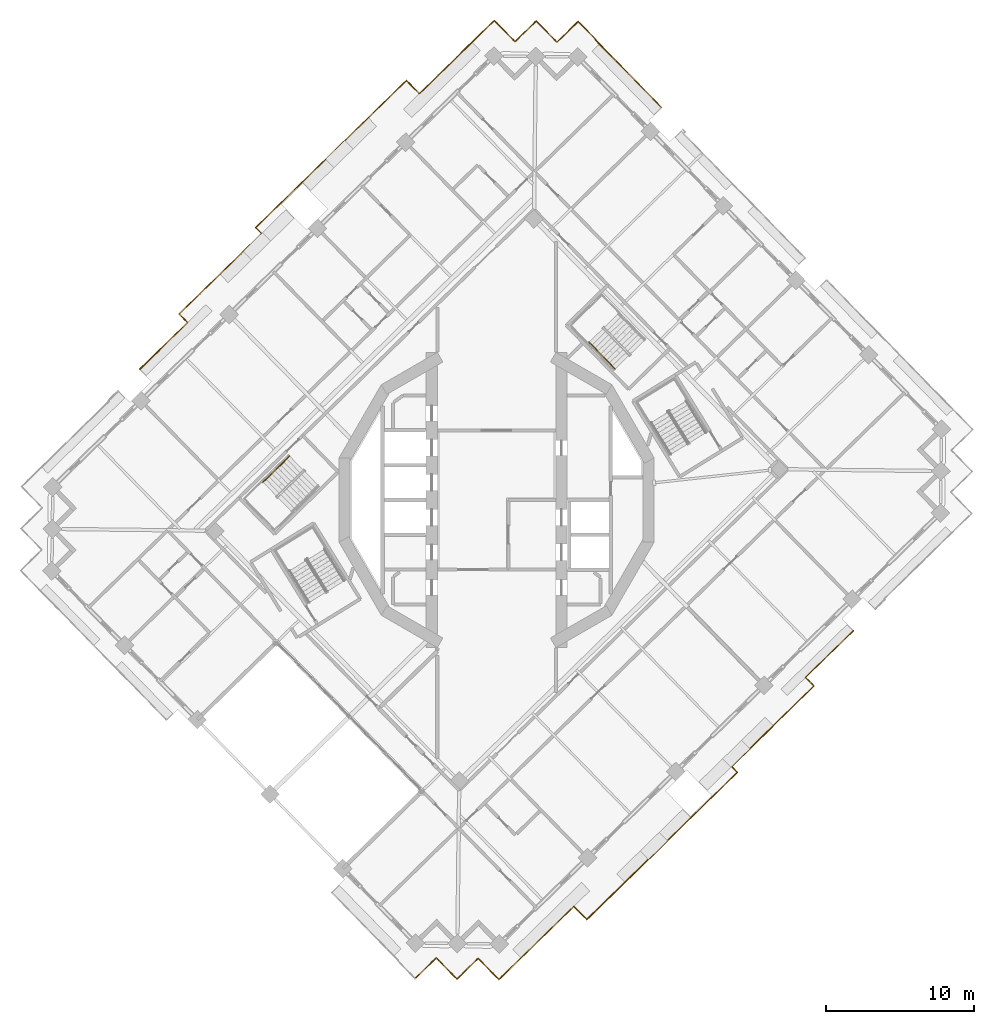
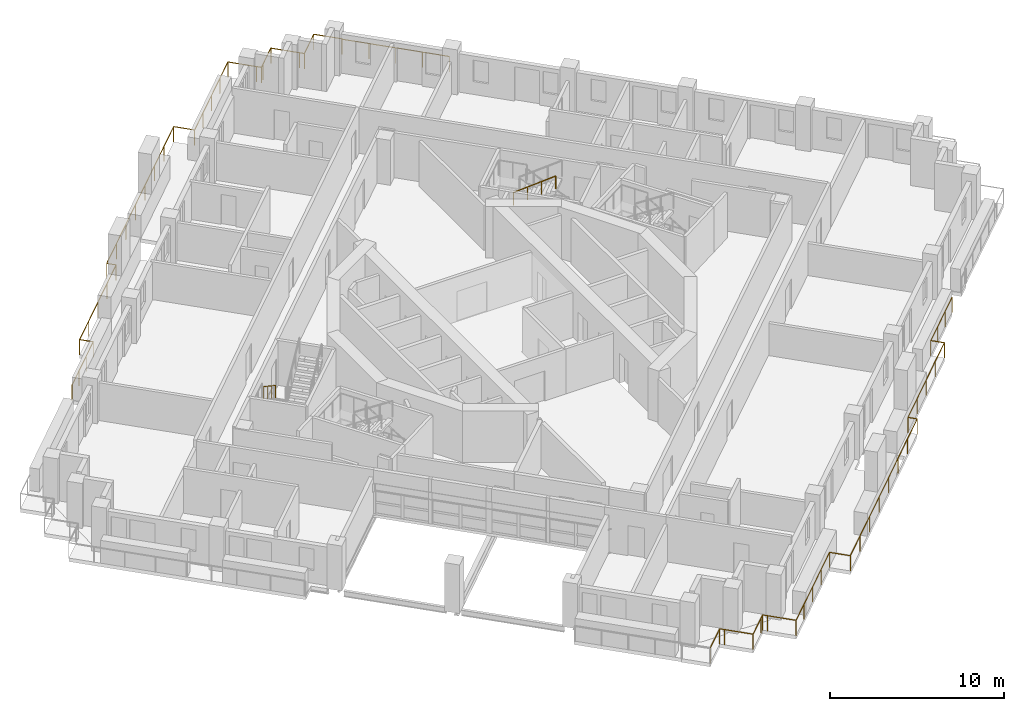
# One storey, part 16 of 19: 4 railings.
"""IFC4 building model written with IfcOpenShell, lengths in metres."""

import ifcopenshell
import ifcopenshell.guid

model = None  # the IFC model being written
_history = None  # IfcOwnerHistory: only IFC2X3 demands one
_inside = {}  # id of a spatial element -> (the spatial element, [elements in it])
_under = {}  # id of a project, library or spatial element -> (it, [spatial elements below it])
_declared = {}  # id of a project -> (the project, [libraries it declares])
_typed = {}  # id of a type object -> (the type object, [elements of that type])
_made_of = {}  # id of a material, layer set ... -> (it, [elements and type objects made of it])


def new_model(schema):
    """Start an empty IFC model of exactly this schema.

    Asked for "IFC4X3", IfcOpenShell would pick the latest addendum, in which some entities
    have other attributes; the version numbers below select the first issue.
    IFC2X3 requires an IfcOwnerHistory on every rooted entity: one is made here for all.
    """
    global model, _history
    if schema == "IFC4X3":
        model = ifcopenshell.file(schema_version=(4, 3, 0, 0))
    else:
        model = ifcopenshell.file(schema=schema)
    _inside.clear()
    _under.clear()
    _declared.clear()
    _typed.clear()
    _made_of.clear()
    _history = None
    if model.schema == "IFC2X3":
        org = make("IfcOrganization", Name="unknown")
        user = make(
            "IfcPersonAndOrganization",
            ThePerson=make("IfcPerson", FamilyName="unknown"),
            TheOrganization=org,
        )
        app = make(
            "IfcApplication",
            ApplicationDeveloper=org,
            Version="unknown",
            ApplicationFullName="unknown",
            ApplicationIdentifier="unknown",
        )
        _history = make(
            "IfcOwnerHistory",
            OwningUser=user,
            OwningApplication=app,
            ChangeAction="ADDED",
            CreationDate=0,
        )
    return model


def make(cls, **values):
    """One entity of the class cls with the attributes given. An attribute that is None is left unset."""
    return model.create_entity(
        cls, **{name: value for name, value in values.items() if value is not None}
    )


def rooted(cls, **values):
    """An entity with a GlobalId (a new one), such as an element, a storey or a relation."""
    return make(cls, GlobalId=ifcopenshell.guid.new(), OwnerHistory=_history, **values)


def si_unit(unit_type, name, prefix=None):
    """IfcSIUnit, for example si_unit("LENGTHUNIT", "METRE", prefix="MILLI")."""
    return make("IfcSIUnit", UnitType=unit_type, Prefix=prefix, Name=name)


def assignment(units):
    """IfcUnitAssignment: the units of a project."""
    return None if units is None else make("IfcUnitAssignment", Units=units)


def point(xyz):
    """IfcCartesianPoint."""
    return None if xyz is None else make("IfcCartesianPoint", Coordinates=xyz)


def direction(xyz):
    """IfcDirection."""
    return None if xyz is None else make("IfcDirection", DirectionRatios=xyz)


def frame(location, z_axis=None, x_axis=None):
    """IfcAxis2Placement3D, a coordinate frame: its origin and axes. An axis left out is left unset."""
    return make(
        "IfcAxis2Placement3D",
        Location=point(location),
        Axis=direction(z_axis),
        RefDirection=direction(x_axis),
    )


def frame_2d(location, x_axis=None):
    """IfcAxis2Placement2D, a coordinate frame in the plane: its origin and x axis."""
    return make(
        "IfcAxis2Placement2D", Location=point(location), RefDirection=direction(x_axis)
    )


def origin():
    """The frame at (0, 0, 0) with its axes left unset."""
    return frame((0.0, 0.0, 0.0))


def origin_2d():
    """The frame at (0, 0) in the plane with its x axis left unset."""
    return frame_2d((0.0, 0.0))


def place(relative_to, where):
    """IfcLocalPlacement: puts the frame where relative to a parent placement (None: the world)."""
    return make(
        "IfcLocalPlacement", PlacementRelTo=relative_to, RelativePlacement=where
    )


def context(
    kind, dimensions, precision=None, world=None, true_north=None, identifier=None
):
    """IfcGeometricRepresentationContext, for example the 3D "Model" context."""
    return make(
        "IfcGeometricRepresentationContext",
        ContextIdentifier=identifier,
        ContextType=kind,
        CoordinateSpaceDimension=dimensions,
        Precision=precision,
        WorldCoordinateSystem=world,
        TrueNorth=true_north,
    )


def subcontext(parent, identifier, kind, view, scale=None):
    """IfcGeometricRepresentationSubContext, for example "Body" below "Model"."""
    return make(
        "IfcGeometricRepresentationSubContext",
        ContextIdentifier=identifier,
        ContextType=kind,
        ParentContext=parent,
        TargetScale=scale,
        TargetView=view,
    )


def project(units=None, contexts=None):
    """IfcProject with its units and contexts."""
    return rooted(
        "IfcProject",
        Name="project",
        RepresentationContexts=contexts,
        UnitsInContext=assignment(units),
    )


def spatial(cls, under=None, at=None, **own):
    """A site, building, storey or space (cls), placed at a placement, below another one or the project."""
    s = rooted(cls, ObjectPlacement=at, **own)
    if under is not None:
        _under.setdefault(under.id(), (under, []))[1].append(s)
    return s


def profile(cls, at=None, kind="AREA", **sizes):
    """A parametric profile (cls). Its sizes go by their IFC names, for example OverallWidth=200.0."""
    return make(cls, ProfileType=kind, Position=at, **sizes)


def circle(**sizes):
    """IfcCircleProfileDef."""
    return profile("IfcCircleProfileDef", **sizes)


def extrude(swept, where, along, depth):
    """IfcExtrudedAreaSolid: the profile swept, set in the frame where, extruded along a direction by depth."""
    return make(
        "IfcExtrudedAreaSolid",
        SweptArea=swept,
        Position=where,
        ExtrudedDirection=direction(along),
        Depth=depth,
    )


def shape(context_of_items, identifier, shape_type, items):
    """IfcShapeRepresentation: the items that make up one representation, for example the "Body"."""
    return make(
        "IfcShapeRepresentation",
        ContextOfItems=context_of_items,
        RepresentationIdentifier=identifier,
        RepresentationType=shape_type,
        Items=items,
    )


def material(Name=None, Category=None):
    """IfcMaterial."""
    return make("IfcMaterial", Name=Name, Category=Category)


def made_of(thing, what):
    """Note that an element or type object is made of a material, layer set ...; save() writes the relation."""
    if what is not None:
        _made_of.setdefault(what.id(), (what, []))[1].append(thing)
    return thing


def type_object(cls, material=None, **own):
    """A type object (cls), such as IfcWallType, which elements share."""
    return made_of(rooted(cls, **own), material)


def element(
    cls,
    number,
    at=None,
    inside=None,
    cuts=None,
    type_object=None,
    material=None,
    context=None,
    identifier="Body",
    shape_type=None,
    held_by="IfcProductDefinitionShape",
    body=None,
    shapes=None,
    **own,
):
    """One element of the class cls, such as IfcWall. Its Tag is "e" and its number.

    at: its placement. inside: the storey or other place that contains it. cuts: it is an
    opening in that element (IfcRelVoidsElement). A single representation is given by context,
    identifier, shape_type and body (its items); several are given by shapes. held_by: the class
    of the entity that holds the representations. save() writes the other relations.
    """
    e = rooted(cls, Tag="e%d" % number, ObjectPlacement=at, **own)
    if body is not None:
        shapes = [shape(context, identifier, shape_type, body)]
    if shapes is not None:
        e.Representation = make(held_by, Representations=shapes)
    if inside is not None:
        _inside.setdefault(inside.id(), (inside, []))[1].append(e)
    if cuts is not None:
        rooted(
            "IfcRelVoidsElement", RelatingBuildingElement=cuts, RelatedOpeningElement=e
        )
    if type_object is not None:
        _typed.setdefault(type_object.id(), (type_object, []))[1].append(e)
    return made_of(e, material)


def aggregate(whole, parts):
    """IfcRelAggregates: a whole, such as a stair, and the parts it consists of."""
    return rooted("IfcRelAggregates", RelatingObject=whole, RelatedObjects=parts)


def save(model, path):
    """Write the relations noted so far, then the file.

    IfcRelAggregates (storeys below a building ...), IfcRelContainedInSpatialStructure (elements
    in a storey), IfcRelDefinesByType, IfcRelAssociatesMaterial and IfcRelDeclares: one each for
    every whole, place, type object, material and project.
    """
    for whole, parts in _under.values():
        aggregate(whole, parts)
    for where, things in _inside.values():
        rooted(
            "IfcRelContainedInSpatialStructure",
            RelatedElements=things,
            RelatingStructure=where,
        )
    for kind, things in _typed.values():
        rooted("IfcRelDefinesByType", RelatedObjects=things, RelatingType=kind)
    for what, things in _made_of.values():
        rooted("IfcRelAssociatesMaterial", RelatedObjects=things, RelatingMaterial=what)
    for by, libraries in _declared.values():
        rooted("IfcRelDeclares", RelatingContext=by, RelatedDefinitions=libraries)
    model.write(path)


model = new_model("IFC4")

# Units and contexts
model_context = context("Model", 3, precision=1e-05, world=origin(), true_north=direction((0.0, 1.0)))
body_context = subcontext(model_context, "Body", "Model", "MODEL_VIEW")
ifc_project = project(units=[si_unit("LENGTHUNIT", "METRE"), si_unit("AREAUNIT", "SQUARE_METRE"), si_unit("VOLUMEUNIT", "CUBIC_METRE"), si_unit("PLANEANGLEUNIT", "RADIAN"), si_unit("MASSUNIT", "GRAM", prefix="KILO")], contexts=[model_context])

# Site, building, storey
site_placement = place(None, origin())
site = spatial("IfcSite", under=ifc_project, at=site_placement, CompositionType="ELEMENT")
building_placement = place(site_placement, origin())
building = spatial("IfcBuilding", under=site, at=building_placement, Name="Cantera Rosa Tower", CompositionType="ELEMENT")
storey_placement = place(building_placement, frame((0.0, 0.0, 241.39990234375)))
storey = spatial("IfcBuildingStorey", under=building, at=storey_placement, Name="L53", CompositionType="ELEMENT", Elevation=241.39990234375)

# Railings
ifc_material_1 = material(Name="Stainless steel and laminated glass", Category="steel")
railing_type_1 = type_object("IfcRailingType", Name="GUARD 1100", PredefinedType="BALUSTRADE", material=ifc_material_1)
railing_1_placement = place(storey_placement, frame((-24.068115234375, 8.822509765625, 0.0)))
element("IfcRailing", 1, at=railing_1_placement, inside=storey, type_object=railing_type_1, Name="GUARD L53-2", PredefinedType="BALUSTRADE", context=body_context, shape_type="SweptSolid", body=[
    extrude(circle(Radius=0.030029296875, at=origin_2d()), frame((0.0, 0.0, 1.070068359375), z_axis=(0.715279040078, 0.698838962012, 0.0), x_axis=(-0.698838962012, 0.715279040078, 0.0)), (0.0, 0.0, 1.0), 4.499755859375),
    extrude(circle(Radius=0.030029296875, at=origin_2d()), frame((3.218505859375, 3.14453125, 1.070068359375), z_axis=(-0.698925943544, 0.715194047403, 0.0), x_axis=(-0.715194047403, -0.698925943544, 0.0)), (0.0, 0.0, 1.0), 0.810302734375),
    extrude(circle(Radius=0.030029296875, at=origin_2d()), frame((2.652099609375, 3.72412109375, 1.070068359375), z_axis=(0.715300842089, 0.698816646415, 0.0), x_axis=(-0.698816646415, 0.715300842089, 0.0)), (0.0, 0.0, 1.0), 7.7607421875),
    extrude(circle(Radius=0.030029296875, at=origin_2d()), frame((8.203369140625, 9.1474609375, 1.070068359375), z_axis=(-0.698988739629, 0.715132674314, 0.0), x_axis=(-0.715132674314, -0.698988739629, 0.0)), (0.0, 0.0, 1.0), 0.5595703125),
    extrude(circle(Radius=0.030029296875, at=origin_2d()), frame((7.812255859375, 9.547607421875, 1.070068359375), z_axis=(0.715291351034, 0.69882636122, 0.0), x_axis=(-0.69882636122, 0.715291351034, 0.0)), (0.0, 0.0, 1.0), 14.219970703125),
    extrude(circle(Radius=0.030029296875, at=origin_2d()), frame((17.983642578125, 19.48486328125, 1.070068359375), z_axis=(0.698855744509, -0.715262642927, 0.0), x_axis=(0.715262642927, 0.698855744509, 0.0)), (0.0, 0.0, 1.0), 1.25),
    extrude(circle(Radius=0.030029296875, at=origin_2d()), frame((18.857177734375, 18.5908203125, 1.070068359375), z_axis=(0.715287912844, 0.6988298804, 0.0), x_axis=(-0.6988298804, 0.715287912844, 0.0)), (0.0, 0.0, 1.0), 5.369873046875),
    extrude(circle(Radius=0.030029296875, at=origin_2d()), frame((22.6982421875, 22.343505859375, 1.070068359375), z_axis=(0.715316077832, 0.69880105094, 0.0), x_axis=(-0.69880105094, 0.715316077832, 0.0)), (0.0, 0.0, 1.0), 1.699951171875),
    extrude(circle(Radius=0.030029296875, at=origin_2d()), frame((23.914306640625, 23.531494140625, 1.070068359375), z_axis=(0.698872839675, -0.715245939495, 0.0), x_axis=(0.715245939495, 0.698872839675, 0.0)), (0.0, 0.0, 1.0), 1.699951171875),
    extrude(circle(Radius=0.030029296875, at=origin_2d()), frame((25.102294921875, 22.315673828125, 1.070068359375), z_axis=(0.698506948293, -0.715603272202, 0.0), x_axis=(0.715603272202, 0.698506948293, 0.0)), (0.0, 0.0, 1.0), 0.2998046875),
    extrude(circle(Radius=0.030029296875, at=origin_2d()), frame((25.311767578125, 22.10107421875, 1.070068359375), z_axis=(0.715196445894, 0.698923489218, 0.0), x_axis=(-0.698923489218, 0.715196445894, 0.0)), (0.0, 0.0, 1.0), 0.300048828125),
    extrude(circle(Radius=0.030029296875, at=origin_2d()), frame((25.5263671875, 22.310791015625, 1.070068359375), z_axis=(0.715316077832, 0.69880105094, 0.0), x_axis=(-0.69880105094, 0.715316077832, 0.0)), (0.0, 0.0, 1.0), 1.699951171875),
    extrude(circle(Radius=0.030029296875, at=origin_2d()), frame((26.742431640625, 23.498779296875, 1.070068359375), z_axis=(0.69880105094, -0.715316077832, 0.0), x_axis=(0.715316077832, 0.69880105094, 0.0)), (0.0, 0.0, 1.0), 1.699951171875),
    extrude(circle(Radius=0.030029296875, at=origin_2d()), frame((27.930419921875, 22.28271484375, 1.070068359375), z_axis=(0.698923489218, -0.715196445894, 0.0), x_axis=(0.715196445894, 0.698923489218, 0.0)), (0.0, 0.0, 1.0), 0.300048828125),
    extrude(circle(Radius=0.030029296875, at=origin_2d()), frame((28.14013671875, 22.068115234375, 1.070068359375), z_axis=(0.715298131827, 0.698819420598, 0.0), x_axis=(-0.698819420598, 0.715298131827, 0.0)), (0.0, 0.0, 1.0), 2.0),
    extrude(circle(Radius=0.030029296875, at=origin_2d()), frame((29.57080078125, 23.4658203125, 1.070068359375), z_axis=(0.69880105094, -0.715316077832, 0.0), x_axis=(0.715316077832, 0.69880105094, 0.0)), (0.0, 0.0, 1.0), 1.699951171875),
    extrude(circle(Radius=0.030029296875, at=origin_2d()), frame((30.7587890625, 22.249755859375, 1.070068359375), z_axis=(-0.716639490729, -0.697443790085, 0.0), x_axis=(0.697443790085, -0.716639490729, 0.0)), (0.0, 0.0, 1.0), 0.0380859375),
    extrude(circle(Radius=0.030029296875, at=origin_2d()), frame((30.7314453125, 22.22314453125, 1.070068359375), z_axis=(0.69884455656, -0.715273574072, 0.0), x_axis=(0.715273574072, 0.69884455656, 0.0)), (0.0, 0.0, 1.0), 6.389892578125),
    extrude(circle(Radius=0.02490234375, at=origin_2d()), origin(), (0.0, 0.0, 1.0), 1.0400390625),
    extrude(circle(Radius=0.02490234375, at=origin_2d()), frame((1.07275390625, 1.048095703125, 0.0)), (0.0, 0.0, 1.0), 1.0400390625),
    extrude(circle(Radius=0.02490234375, at=origin_2d()), frame((2.145751953125, 2.096435546875, 0.0)), (0.0, 0.0, 1.0), 1.0400390625),
    extrude(circle(Radius=0.02490234375, at=origin_2d()), frame((3.218505859375, 3.14453125, 0.0)), (0.0, 0.0, 1.0), 1.0400390625),
    extrude(circle(Radius=0.02490234375, at=origin_2d()), frame((2.652099609375, 3.72412109375, 0.0)), (0.0, 0.0, 1.0), 1.0400390625),
    extrude(circle(Radius=0.02490234375, at=origin_2d()), frame((4.0400390625, 5.080078125, 0.0)), (0.0, 0.0, 1.0), 1.0400390625),
    extrude(circle(Radius=0.02490234375, at=origin_2d()), frame((5.427734375, 6.435791015625, 0.0)), (0.0, 0.0, 1.0), 1.0400390625),
    extrude(circle(Radius=0.02490234375, at=origin_2d()), frame((6.8154296875, 7.79150390625, 0.0)), (0.0, 0.0, 1.0), 1.0400390625),
    extrude(circle(Radius=0.02490234375, at=origin_2d()), frame((8.203369140625, 9.1474609375, 0.0)), (0.0, 0.0, 1.0), 1.0400390625),
    extrude(circle(Radius=0.02490234375, at=origin_2d()), frame((7.812255859375, 9.547607421875, 0.0)), (0.0, 0.0, 1.0), 1.0400390625),
    extrude(circle(Radius=0.02490234375, at=origin_2d()), frame((9.265380859375, 10.96728515625, 0.0)), (0.0, 0.0, 1.0), 1.0400390625),
    extrude(circle(Radius=0.02490234375, at=origin_2d()), frame((10.71826171875, 12.38671875, 0.0)), (0.0, 0.0, 1.0), 1.0400390625),
    extrude(circle(Radius=0.02490234375, at=origin_2d()), frame((12.17138671875, 13.806396484375, 0.0)), (0.0, 0.0, 1.0), 1.0400390625),
    extrude(circle(Radius=0.02490234375, at=origin_2d()), frame((13.62451171875, 15.22607421875, 0.0)), (0.0, 0.0, 1.0), 1.0400390625),
    extrude(circle(Radius=0.02490234375, at=origin_2d()), frame((15.07763671875, 16.645751953125, 0.0)), (0.0, 0.0, 1.0), 1.0400390625),
    extrude(circle(Radius=0.02490234375, at=origin_2d()), frame((16.530517578125, 18.065185546875, 0.0)), (0.0, 0.0, 1.0), 1.0400390625),
    extrude(circle(Radius=0.02490234375, at=origin_2d()), frame((17.983642578125, 19.48486328125, 0.0)), (0.0, 0.0, 1.0), 1.0400390625),
    extrude(circle(Radius=0.02490234375, at=origin_2d()), frame((18.857177734375, 18.5908203125, 0.0)), (0.0, 0.0, 1.0), 1.0400390625),
    extrude(circle(Radius=0.02490234375, at=origin_2d()), frame((20.137451171875, 19.841796875, 0.0)), (0.0, 0.0, 1.0), 1.0400390625),
    extrude(circle(Radius=0.02490234375, at=origin_2d()), frame((21.41796875, 21.092529296875, 0.0)), (0.0, 0.0, 1.0), 1.0400390625),
    extrude(circle(Radius=0.02490234375, at=origin_2d()), frame((22.6982421875, 22.343505859375, 0.0)), (0.0, 0.0, 1.0), 1.0400390625),
    extrude(circle(Radius=0.02490234375, at=origin_2d()), frame((23.914306640625, 23.531494140625, 0.0)), (0.0, 0.0, 1.0), 1.0400390625),
    extrude(circle(Radius=0.02490234375, at=origin_2d()), frame((25.102294921875, 22.315673828125, 0.0)), (0.0, 0.0, 1.0), 1.0400390625),
    extrude(circle(Radius=0.02490234375, at=origin_2d()), frame((25.311767578125, 22.10107421875, 0.0)), (0.0, 0.0, 1.0), 1.0400390625),
    extrude(circle(Radius=0.02490234375, at=origin_2d()), frame((25.5263671875, 22.310791015625, 0.0)), (0.0, 0.0, 1.0), 1.0400390625),
    extrude(circle(Radius=0.02490234375, at=origin_2d()), frame((26.742431640625, 23.498779296875, 0.0)), (0.0, 0.0, 1.0), 1.0400390625),
    extrude(circle(Radius=0.02490234375, at=origin_2d()), frame((27.930419921875, 22.28271484375, 0.0)), (0.0, 0.0, 1.0), 1.0400390625),
    extrude(circle(Radius=0.02490234375, at=origin_2d()), frame((28.14013671875, 22.068115234375, 0.0)), (0.0, 0.0, 1.0), 1.0400390625),
    extrude(circle(Radius=0.02490234375, at=origin_2d()), frame((29.57080078125, 23.4658203125, 0.0)), (0.0, 0.0, 1.0), 1.0400390625),
    extrude(circle(Radius=0.02490234375, at=origin_2d()), frame((30.7587890625, 22.249755859375, 0.0)), (0.0, 0.0, 1.0), 1.0400390625),
    extrude(circle(Radius=0.02490234375, at=origin_2d()), frame((30.7314453125, 22.22314453125, 0.0)), (0.0, 0.0, 1.0), 1.0400390625),
    extrude(circle(Radius=0.02490234375, at=origin_2d()), frame((31.847900390625, 21.08056640625, 0.0)), (0.0, 0.0, 1.0), 1.0400390625),
    extrude(circle(Radius=0.02490234375, at=origin_2d()), frame((32.96435546875, 19.93798828125, 0.0)), (0.0, 0.0, 1.0), 1.0400390625),
    extrude(circle(Radius=0.02490234375, at=origin_2d()), frame((34.08056640625, 18.795166015625, 0.0)), (0.0, 0.0, 1.0), 1.0400390625),
    extrude(circle(Radius=0.02490234375, at=origin_2d()), frame((35.197021484375, 17.652587890625, 0.0)), (0.0, 0.0, 1.0), 1.0400390625),
])
railing_2_placement = place(storey_placement, frame((24.068115234375, -8.822509765625, 0.0)))
element("IfcRailing", 2, at=railing_2_placement, inside=storey, type_object=railing_type_1, Name="GUARD L53-4", PredefinedType="BALUSTRADE", context=body_context, shape_type="SweptSolid", body=[
    extrude(circle(Radius=0.030029296875, at=origin_2d()), frame((0.0, 0.0, 1.070068359375), z_axis=(-0.715279040078, -0.698838962012, 0.0), x_axis=(0.698838962012, -0.715279040078, 0.0)), (0.0, 0.0, 1.0), 4.499755859375),
    extrude(circle(Radius=0.030029296875, at=origin_2d()), frame((-3.218505859375, -3.14453125, 1.070068359375), z_axis=(0.698925943544, -0.715194047403, 0.0), x_axis=(0.715194047403, 0.698925943544, 0.0)), (0.0, 0.0, 1.0), 0.810302734375),
    extrude(circle(Radius=0.030029296875, at=origin_2d()), frame((-2.652099609375, -3.72412109375, 1.070068359375), z_axis=(-0.715300842089, -0.698816646415, 0.0), x_axis=(0.698816646415, -0.715300842089, 0.0)), (0.0, 0.0, 1.0), 7.7607421875),
    extrude(circle(Radius=0.030029296875, at=origin_2d()), frame((-8.203369140625, -9.1474609375, 1.070068359375), z_axis=(0.698988739629, -0.715132674314, 0.0), x_axis=(0.715132674314, 0.698988739629, 0.0)), (0.0, 0.0, 1.0), 0.5595703125),
    extrude(circle(Radius=0.030029296875, at=origin_2d()), frame((-7.812255859375, -9.547607421875, 1.070068359375), z_axis=(-0.715291351034, -0.69882636122, 0.0), x_axis=(0.69882636122, -0.715291351034, 0.0)), (0.0, 0.0, 1.0), 14.219970703125),
    extrude(circle(Radius=0.030029296875, at=origin_2d()), frame((-17.983642578125, -19.48486328125, 1.070068359375), z_axis=(-0.698855744509, 0.715262642927, 0.0), x_axis=(-0.715262642927, -0.698855744509, 0.0)), (0.0, 0.0, 1.0), 1.25),
    extrude(circle(Radius=0.030029296875, at=origin_2d()), frame((-18.857177734375, -18.5908203125, 1.070068359375), z_axis=(-0.715287912844, -0.6988298804, 0.0), x_axis=(0.6988298804, -0.715287912844, 0.0)), (0.0, 0.0, 1.0), 5.369873046875),
    extrude(circle(Radius=0.030029296875, at=origin_2d()), frame((-22.6982421875, -22.343505859375, 1.070068359375), z_axis=(-0.715316077832, -0.69880105094, 0.0), x_axis=(0.69880105094, -0.715316077832, 0.0)), (0.0, 0.0, 1.0), 1.699951171875),
    extrude(circle(Radius=0.030029296875, at=origin_2d()), frame((-23.914306640625, -23.531494140625, 1.070068359375), z_axis=(-0.698872839675, 0.715245939495, 0.0), x_axis=(-0.715245939495, -0.698872839675, 0.0)), (0.0, 0.0, 1.0), 1.699951171875),
    extrude(circle(Radius=0.030029296875, at=origin_2d()), frame((-25.102294921875, -22.315673828125, 1.070068359375), z_axis=(-0.698506948293, 0.715603272202, 0.0), x_axis=(-0.715603272202, -0.698506948293, 0.0)), (0.0, 0.0, 1.0), 0.2998046875),
    extrude(circle(Radius=0.030029296875, at=origin_2d()), frame((-25.311767578125, -22.10107421875, 1.070068359375), z_axis=(-0.715196445894, -0.698923489218, 0.0), x_axis=(0.698923489218, -0.715196445894, 0.0)), (0.0, 0.0, 1.0), 0.300048828125),
    extrude(circle(Radius=0.030029296875, at=origin_2d()), frame((-25.5263671875, -22.310791015625, 1.070068359375), z_axis=(-0.715316077832, -0.69880105094, 0.0), x_axis=(0.69880105094, -0.715316077832, 0.0)), (0.0, 0.0, 1.0), 1.699951171875),
    extrude(circle(Radius=0.030029296875, at=origin_2d()), frame((-26.742431640625, -23.498779296875, 1.070068359375), z_axis=(-0.69880105094, 0.715316077832, 0.0), x_axis=(-0.715316077832, -0.69880105094, 0.0)), (0.0, 0.0, 1.0), 1.699951171875),
    extrude(circle(Radius=0.030029296875, at=origin_2d()), frame((-27.930419921875, -22.28271484375, 1.070068359375), z_axis=(-0.698923489218, 0.715196445894, 0.0), x_axis=(-0.715196445894, -0.698923489218, 0.0)), (0.0, 0.0, 1.0), 0.300048828125),
    extrude(circle(Radius=0.030029296875, at=origin_2d()), frame((-28.14013671875, -22.068115234375, 1.070068359375), z_axis=(-0.715298131827, -0.698819420598, 0.0), x_axis=(0.698819420598, -0.715298131827, 0.0)), (0.0, 0.0, 1.0), 2.0),
    extrude(circle(Radius=0.02490234375, at=origin_2d()), origin(), (0.0, 0.0, 1.0), 1.0400390625),
    extrude(circle(Radius=0.02490234375, at=origin_2d()), frame((-1.07275390625, -1.048095703125, 0.0)), (0.0, 0.0, 1.0), 1.0400390625),
    extrude(circle(Radius=0.02490234375, at=origin_2d()), frame((-2.145751953125, -2.096435546875, 0.0)), (0.0, 0.0, 1.0), 1.0400390625),
    extrude(circle(Radius=0.02490234375, at=origin_2d()), frame((-3.218505859375, -3.14453125, 0.0)), (0.0, 0.0, 1.0), 1.0400390625),
    extrude(circle(Radius=0.02490234375, at=origin_2d()), frame((-2.652099609375, -3.72412109375, 0.0)), (0.0, 0.0, 1.0), 1.0400390625),
    extrude(circle(Radius=0.02490234375, at=origin_2d()), frame((-4.0400390625, -5.080078125, 0.0)), (0.0, 0.0, 1.0), 1.0400390625),
    extrude(circle(Radius=0.02490234375, at=origin_2d()), frame((-5.427734375, -6.435791015625, 0.0)), (0.0, 0.0, 1.0), 1.0400390625),
    extrude(circle(Radius=0.02490234375, at=origin_2d()), frame((-6.8154296875, -7.79150390625, 0.0)), (0.0, 0.0, 1.0), 1.0400390625),
    extrude(circle(Radius=0.02490234375, at=origin_2d()), frame((-8.203369140625, -9.1474609375, 0.0)), (0.0, 0.0, 1.0), 1.0400390625),
    extrude(circle(Radius=0.02490234375, at=origin_2d()), frame((-7.812255859375, -9.547607421875, 0.0)), (0.0, 0.0, 1.0), 1.0400390625),
    extrude(circle(Radius=0.02490234375, at=origin_2d()), frame((-9.265380859375, -10.96728515625, 0.0)), (0.0, 0.0, 1.0), 1.0400390625),
    extrude(circle(Radius=0.02490234375, at=origin_2d()), frame((-10.71826171875, -12.38671875, 0.0)), (0.0, 0.0, 1.0), 1.0400390625),
    extrude(circle(Radius=0.02490234375, at=origin_2d()), frame((-12.17138671875, -13.806396484375, 0.0)), (0.0, 0.0, 1.0), 1.0400390625),
    extrude(circle(Radius=0.02490234375, at=origin_2d()), frame((-13.62451171875, -15.22607421875, 0.0)), (0.0, 0.0, 1.0), 1.0400390625),
    extrude(circle(Radius=0.02490234375, at=origin_2d()), frame((-15.07763671875, -16.645751953125, 0.0)), (0.0, 0.0, 1.0), 1.0400390625),
    extrude(circle(Radius=0.02490234375, at=origin_2d()), frame((-16.530517578125, -18.065185546875, 0.0)), (0.0, 0.0, 1.0), 1.0400390625),
    extrude(circle(Radius=0.02490234375, at=origin_2d()), frame((-17.983642578125, -19.48486328125, 0.0)), (0.0, 0.0, 1.0), 1.0400390625),
    extrude(circle(Radius=0.02490234375, at=origin_2d()), frame((-18.857177734375, -18.5908203125, 0.0)), (0.0, 0.0, 1.0), 1.0400390625),
    extrude(circle(Radius=0.02490234375, at=origin_2d()), frame((-20.137451171875, -19.841796875, 0.0)), (0.0, 0.0, 1.0), 1.0400390625),
    extrude(circle(Radius=0.02490234375, at=origin_2d()), frame((-21.41796875, -21.092529296875, 0.0)), (0.0, 0.0, 1.0), 1.0400390625),
    extrude(circle(Radius=0.02490234375, at=origin_2d()), frame((-22.6982421875, -22.343505859375, 0.0)), (0.0, 0.0, 1.0), 1.0400390625),
    extrude(circle(Radius=0.02490234375, at=origin_2d()), frame((-23.914306640625, -23.531494140625, 0.0)), (0.0, 0.0, 1.0), 1.0400390625),
    extrude(circle(Radius=0.02490234375, at=origin_2d()), frame((-25.102294921875, -22.315673828125, 0.0)), (0.0, 0.0, 1.0), 1.0400390625),
    extrude(circle(Radius=0.02490234375, at=origin_2d()), frame((-25.311767578125, -22.10107421875, 0.0)), (0.0, 0.0, 1.0), 1.0400390625),
    extrude(circle(Radius=0.02490234375, at=origin_2d()), frame((-25.5263671875, -22.310791015625, 0.0)), (0.0, 0.0, 1.0), 1.0400390625),
    extrude(circle(Radius=0.02490234375, at=origin_2d()), frame((-26.742431640625, -23.498779296875, 0.0)), (0.0, 0.0, 1.0), 1.0400390625),
    extrude(circle(Radius=0.02490234375, at=origin_2d()), frame((-27.930419921875, -22.28271484375, 0.0)), (0.0, 0.0, 1.0), 1.0400390625),
    extrude(circle(Radius=0.02490234375, at=origin_2d()), frame((-28.14013671875, -22.068115234375, 0.0)), (0.0, 0.0, 1.0), 1.0400390625),
    extrude(circle(Radius=0.02490234375, at=origin_2d()), frame((-29.57080078125, -23.4658203125, 0.0)), (0.0, 0.0, 1.0), 1.0400390625),
])
ifc_material_2 = material(Name="Steel S355J2 (EN 10025-2)", Category="steel")
railing_type_2 = type_object("IfcRailingType", Name="STAIR HANDRAIL 900", PredefinedType="HANDRAIL", material=ifc_material_2)
railing_3_placement = place(storey_placement, frame((6.23388671875, 10.64013671875, 1.97998046875)))
element("IfcRailing", 3, at=railing_3_placement, inside=storey, type_object=railing_type_2, Name="L53 ST-42 stair handrail 2", PredefinedType="HANDRAIL", context=body_context, shape_type="SweptSolid", body=[
    extrude(circle(Radius=0.02392578125, at=origin_2d()), frame((0.0, 0.0, 0.8759765625), z_axis=(0.587818193466, -0.601672219931, 0.54079599776), x_axis=(0.715293958342, 0.698823692472, 0.0)), (0.0, 0.0, 1.0), 2.995849609375),
    extrude(circle(Radius=0.02099609375, at=origin_2d()), origin(), (0.0, 0.0, 1.0), 0.851806640625),
    extrude(circle(Radius=0.02099609375, at=origin_2d()), frame((0.5869140625, -0.600830078125, 0.5400390625)), (0.0, 0.0, 1.0), 0.851806640625),
    extrude(circle(Radius=0.02099609375, at=origin_2d()), frame((1.174072265625, -1.20166015625, 1.080078125)), (0.0, 0.0, 1.0), 0.851806640625),
    extrude(circle(Radius=0.02099609375, at=origin_2d()), frame((1.760986328125, -1.802490234375, 1.6201171875)), (0.0, 0.0, 1.0), 0.851806640625),
])
railing_4_placement = place(storey_placement, frame((-13.95947265625, 2.9619140625, 0.18017578125)))
element("IfcRailing", 4, at=railing_4_placement, inside=storey, type_object=railing_type_2, Name="L53 ST-43 stair handrail 1", PredefinedType="HANDRAIL", context=body_context, shape_type="SweptSolid", body=[
    extrude(circle(Radius=0.02392578125, at=origin_2d()), frame((0.0, 0.0, 0.8759765625), z_axis=(-0.60169873645, -0.587844099419, 0.540738333515), x_axis=(0.698823692472, -0.715293958342, 0.0)), (0.0, 0.0, 1.0), 2.99560546875),
    extrude(circle(Radius=0.02099609375, at=origin_2d()), origin(), (0.0, 0.0, 1.0), 0.851806640625),
    extrude(circle(Radius=0.02099609375, at=origin_2d()), frame((-0.600830078125, -0.5869140625, 0.5400390625)), (0.0, 0.0, 1.0), 0.851806640625),
    extrude(circle(Radius=0.02099609375, at=origin_2d()), frame((-1.20166015625, -1.174072265625, 1.079833984375)), (0.0, 0.0, 1.0), 0.851806640625),
    extrude(circle(Radius=0.02099609375, at=origin_2d()), frame((-1.802490234375, -1.760986328125, 1.619873046875)), (0.0, 0.0, 1.0), 0.851806640625),
])

save(model, "model.ifc")
